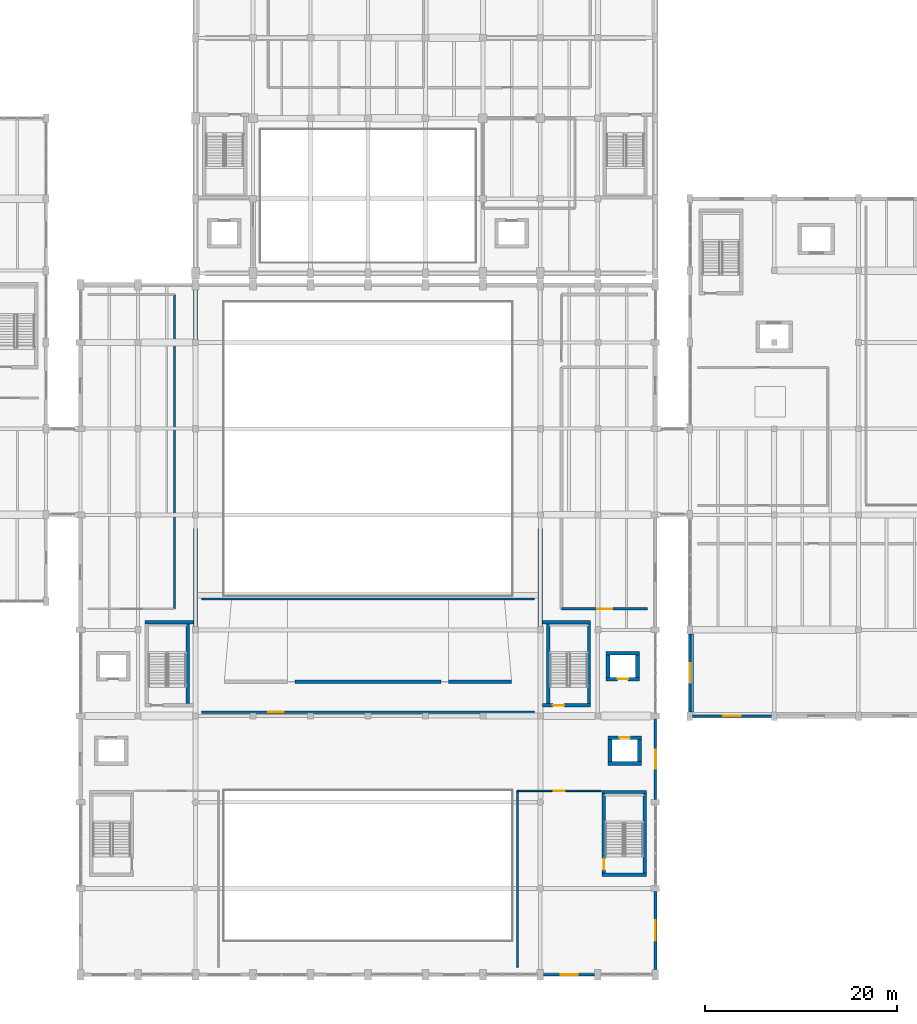
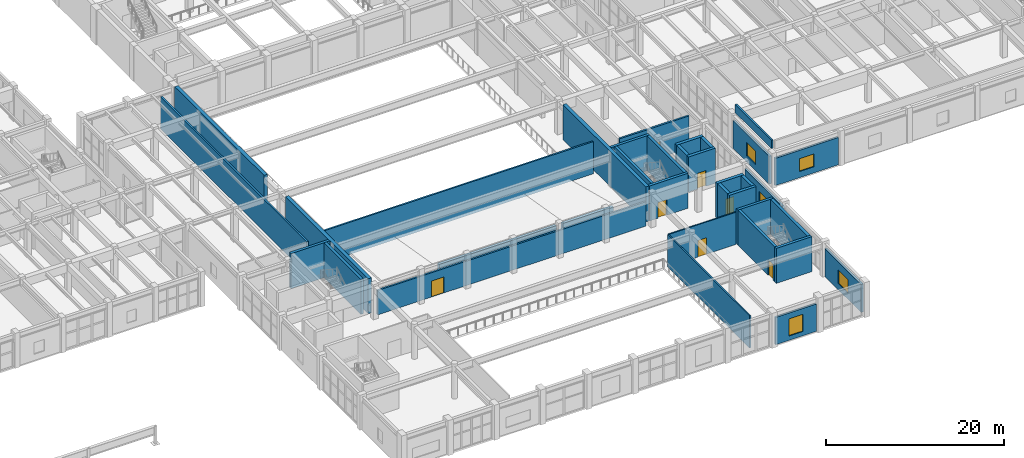
# One storey, part 62 of 85: 35 walls, 7 doors, 5 windows, 12 openings.
"""IFC4 building model written with IfcOpenShell, lengths in metres."""

from ifc_helpers import new_model, si_unit, direction, frame, frame_2d, origin, place, context, subcontext, project, spatial, rectangle, extrude, material, layer, layer_set, type_object, element, fill, save


model = new_model("IFC4")

# Units and contexts
model_context = context("Model", 3, precision=1e-05, world=origin(), true_north=direction((0.0, 1.0)))
body_context = subcontext(model_context, "Body", "Model", "MODEL_VIEW")
ifc_project = project(units=[si_unit("LENGTHUNIT", "METRE"), si_unit("AREAUNIT", "SQUARE_METRE"), si_unit("VOLUMEUNIT", "CUBIC_METRE"), si_unit("PLANEANGLEUNIT", "RADIAN"), si_unit("MASSUNIT", "GRAM", prefix="KILO")], contexts=[model_context])

# Site, building, storey
site_placement = place(None, origin())
site = spatial("IfcSite", under=ifc_project, at=site_placement, CompositionType="ELEMENT")
building_placement = place(site_placement, origin())
building = spatial("IfcBuilding", under=site, at=building_placement, Name="Vaelkrest Opera House", CompositionType="ELEMENT")
storey_placement = place(building_placement, frame((0.0, 0.0, 10.199951171875)))
storey = spatial("IfcBuildingStorey", under=building, at=storey_placement, Name="L02", CompositionType="ELEMENT", Elevation=10.199951171875)

# Wall, opening, window
ifc_material_1 = material(Name="Douglas fir glulam GL28h", Category="wood")
ifc_layer_1 = layer(ifc_material_1, 0.2548828125)
ifc_layer_set_1 = layer_set([ifc_layer_1], Name="Douglas fir glulam GL28h")
wall_type_1 = type_object("IfcWallType", Name="EW01", PredefinedType="STANDARD", material=ifc_layer_set_1)
wall_1_placement = place(storey_placement, frame((23.652099609375, -55.800048828125, 0.0), z_axis=(0.0, 0.0, 1.0), x_axis=(-1.0, 0.0, 0.0)))
wall_1 = element("IfcWall", 1, at=wall_1_placement, inside=storey, type_object=wall_type_1, Name="Exterior facade wall EW-V1-L02-0051", PredefinedType="STANDARD", context=body_context, shape_type="SweptSolid", body=[
    extrude(rectangle(XDim=5.30419921875, YDim=0.2548828125, at=frame_2d((2.652099609375, 0.0))), origin(), (0.0, 0.0, 1.0), 3.7451171875),
])
opening_1_placement = place(wall_1_placement, frame((1.751953125, 0.0, 0.60009765625)))
opening_1 = element("IfcOpeningElement", 2, at=opening_1_placement, cuts=wall_1, Name="Opening WN022", PredefinedType="OPENING", context=body_context, shape_type="SweptSolid", body=[
    extrude(rectangle(XDim=1.800048828125, YDim=2.35009765625, at=frame_2d((0.89990234375, 1.175048828125))), frame((0.0, 0.137451171875, 0.0), z_axis=(0.0, -1.0, 0.0), x_axis=(1.0, 0.0, 0.0)), (0.0, 0.0, 1.0), 0.27490234375),
])
ifc_material_2 = material(Name="Double low-E insulated glazing", Category="glass")
window_type_1 = type_object("IfcWindowType", Name="WT22", PartitioningType="SINGLE_PANEL", PredefinedType="WINDOW", material=ifc_material_2)
window_1_placement = place(opening_1_placement, origin())
window_1 = element("IfcWindow", 3, at=window_1_placement, inside=storey, type_object=window_type_1, Name="Facade window WN022", OverallHeight=2.35009765625, OverallWidth=1.800048828125, PartitioningType="SINGLE_PANEL", PredefinedType="WINDOW", context=body_context, shape_type="SweptSolid", body=[
    extrude(rectangle(XDim=1.800048828125, YDim=2.35009765625, at=frame_2d((0.89990234375, 1.175048828125))), frame((0.0, 0.030029296875, 0.0), z_axis=(0.0, -1.0, 0.0), x_axis=(1.0, 0.0, 0.0)), (0.0, 0.0, 1.0), 0.06005859375),
])
fill(opening_1, window_1)

wall_2_placement = place(storey_placement, frame((42.10205078125, -28.800048828125, 0.0), z_axis=(0.0, 0.0, 1.0), x_axis=(-1.0, 0.0, 0.0)))
wall_2 = element("IfcWall", 4, at=wall_2_placement, inside=storey, type_object=wall_type_1, Name="Exterior facade wall EW-V4-L02-0251", PredefinedType="STANDARD", context=body_context, shape_type="SweptSolid", body=[
    extrude(rectangle(XDim=8.2041015625, YDim=0.2548828125, at=frame_2d((4.10205078125, 0.0))), origin(), (0.0, 0.0, 1.0), 3.7451171875),
])
opening_2_placement = place(wall_2_placement, frame((3.177001953125, 0.0, 0.85009765625)))
opening_2 = element("IfcOpeningElement", 5, at=opening_2_placement, cuts=wall_2, Name="Opening WN136", PredefinedType="OPENING", context=body_context, shape_type="SweptSolid", body=[
    extrude(rectangle(XDim=1.85009765625, YDim=1.75, at=frame_2d((0.925048828125, 0.875))), frame((0.0, 0.137451171875, 0.0), z_axis=(0.0, -1.0, 0.0), x_axis=(1.0, 0.0, 0.0)), (0.0, 0.0, 1.0), 0.27490234375),
])
window_type_2 = type_object("IfcWindowType", Name="WT06", PartitioningType="SINGLE_PANEL", PredefinedType="WINDOW", material=ifc_material_2)
window_2_placement = place(opening_2_placement, origin())
window_2 = element("IfcWindow", 6, at=window_2_placement, inside=storey, type_object=window_type_2, Name="Facade window WN136", OverallHeight=1.75, OverallWidth=1.85009765625, PartitioningType="SINGLE_PANEL", PredefinedType="WINDOW", context=body_context, shape_type="SweptSolid", body=[
    extrude(rectangle(XDim=1.85009765625, YDim=1.75, at=frame_2d((0.925048828125, 0.875))), frame((0.0, 0.030029296875, 0.0), z_axis=(0.0, -1.0, 0.0), x_axis=(1.0, 0.0, 0.0)), (0.0, 0.0, 1.0), 0.06005859375),
])
fill(opening_2, window_2)

ifc_layer_2 = layer(ifc_material_1, 0.27490234375)
ifc_layer_set_2 = layer_set([ifc_layer_2], Name="Douglas fir glulam GL28h")
wall_type_2 = type_object("IfcWallType", Name="EW02", PredefinedType="STANDARD", material=ifc_layer_set_2)
wall_3_placement = place(storey_placement, frame((30.0, -29.097900390625, 0.0), z_axis=(0.0, 0.0, 1.0), x_axis=(0.0, -1.0, 0.0)))
wall_3 = element("IfcWall", 7, at=wall_3_placement, inside=storey, type_object=wall_type_2, Name="Exterior facade wall EW-V1-L02-0072", PredefinedType="STANDARD", context=body_context, shape_type="SweptSolid", body=[
    extrude(rectangle(XDim=8.404052734375, YDim=0.27490234375, at=frame_2d((4.2021484375, 0.0))), origin(), (0.0, 0.0, 1.0), 3.8291015625),
])
opening_3_placement = place(wall_3_placement, frame((3.201904296875, 0.0, 0.85009765625)))
opening_3 = element("IfcOpeningElement", 8, at=opening_3_placement, cuts=wall_3, Name="Opening WN033", PredefinedType="OPENING", context=body_context, shape_type="SweptSolid", body=[
    extrude(rectangle(XDim=2.0, YDim=1.85009765625, at=frame_2d((1.0, 0.925048828125))), frame((0.0, 0.1474609375, 0.0), z_axis=(0.0, -1.0, 0.0), x_axis=(1.0, 0.0, 0.0)), (0.0, 0.0, 1.0), 0.294921875),
])
window_type_3 = type_object("IfcWindowType", Name="WT07", PartitioningType="SINGLE_PANEL", PredefinedType="WINDOW", material=ifc_material_2)
window_3_placement = place(opening_3_placement, origin())
window_3 = element("IfcWindow", 9, at=window_3_placement, inside=storey, type_object=window_type_3, Name="Facade window WN033", OverallHeight=1.85009765625, OverallWidth=2.0, PartitioningType="SINGLE_PANEL", PredefinedType="WINDOW", context=body_context, shape_type="SweptSolid", body=[
    extrude(rectangle(XDim=2.0, YDim=1.85009765625, at=frame_2d((1.0, 0.925048828125))), frame((0.0, 0.030029296875, 0.0), z_axis=(0.0, -1.0, 0.0), x_axis=(1.0, 0.0, 0.0)), (0.0, 0.0, 1.0), 0.06005859375),
])
fill(opening_3, window_3)

wall_4_placement = place(storey_placement, frame((33.60009765625, -28.35205078125, 0.0), z_axis=(0.0, 0.0, 1.0), x_axis=(0.0, 1.0, 0.0)))
wall_4 = element("IfcWall", 10, at=wall_4_placement, inside=storey, type_object=wall_type_2, Name="Exterior facade wall EW-V4-L02-0252", PredefinedType="STANDARD", context=body_context, shape_type="SweptSolid", body=[
    extrude(rectangle(XDim=8.10400390625, YDim=0.27490234375, at=frame_2d((4.052001953125, 0.0))), origin(), (0.0, 0.0, 1.0), 3.8291015625),
])
opening_4_placement = place(wall_4_placement, frame((3.052001953125, 0.0, 0.85009765625)))
opening_4 = element("IfcOpeningElement", 11, at=opening_4_placement, cuts=wall_4, Name="Opening WN137", PredefinedType="OPENING", context=body_context, shape_type="SweptSolid", body=[
    extrude(rectangle(XDim=2.0, YDim=1.85009765625, at=frame_2d((1.0, 0.925048828125))), frame((0.0, 0.1474609375, 0.0), z_axis=(0.0, -1.0, 0.0), x_axis=(1.0, 0.0, 0.0)), (0.0, 0.0, 1.0), 0.294921875),
])
window_4_placement = place(opening_4_placement, origin())
window_4 = element("IfcWindow", 12, at=window_4_placement, inside=storey, type_object=window_type_3, Name="Facade window WN137", OverallHeight=1.85009765625, OverallWidth=2.0, PartitioningType="SINGLE_PANEL", PredefinedType="WINDOW", context=body_context, shape_type="SweptSolid", body=[
    extrude(rectangle(XDim=2.0, YDim=1.85009765625, at=frame_2d((1.0, 0.925048828125))), frame((0.0, 0.030029296875, 0.0), z_axis=(0.0, -1.0, 0.0), x_axis=(1.0, 0.0, 0.0)), (0.0, 0.0, 1.0), 0.06005859375),
])
fill(opening_4, window_4)

ifc_layer_3 = layer(ifc_material_1, 0.294921875)
ifc_layer_set_3 = layer_set([ifc_layer_3], Name="Douglas fir glulam GL28h")
wall_type_3 = type_object("IfcWallType", Name="EW03", PredefinedType="STANDARD", material=ifc_layer_set_3)
wall_5_placement = place(storey_placement, frame((30.0, -47.097900390625, 0.0), z_axis=(0.0, 0.0, 1.0), x_axis=(0.0, -1.0, 0.0)))
wall_5 = element("IfcWall", 13, at=wall_5_placement, inside=storey, type_object=wall_type_3, Name="Exterior facade wall EW-V1-L02-0073", PredefinedType="STANDARD", context=body_context, shape_type="SweptSolid", body=[
    extrude(rectangle(XDim=8.154052734375, YDim=0.294921875, at=frame_2d((4.0771484375, 0.0))), origin(), (0.0, 0.0, 1.0), 3.8291015625),
])
opening_5_placement = place(wall_5_placement, frame((3.001953125, 0.0, 0.85009765625)))
opening_5 = element("IfcOpeningElement", 14, at=opening_5_placement, cuts=wall_5, Name="Opening WN034", PredefinedType="OPENING", context=body_context, shape_type="SweptSolid", body=[
    extrude(rectangle(XDim=2.14990234375, YDim=1.85009765625, at=frame_2d((1.074951171875, 0.925048828125))), frame((0.0, 0.157470703125, 0.0), z_axis=(0.0, -1.0, 0.0), x_axis=(1.0, 0.0, 0.0)), (0.0, 0.0, 1.0), 0.31494140625),
])
window_type_4 = type_object("IfcWindowType", Name="WT08", PartitioningType="SINGLE_PANEL", PredefinedType="WINDOW", material=ifc_material_2)
window_5_placement = place(opening_5_placement, origin())
window_5 = element("IfcWindow", 15, at=window_5_placement, inside=storey, type_object=window_type_4, Name="Facade window WN034", OverallHeight=1.85009765625, OverallWidth=2.14990234375, PartitioningType="SINGLE_PANEL", PredefinedType="WINDOW", context=body_context, shape_type="SweptSolid", body=[
    extrude(rectangle(XDim=2.14990234375, YDim=1.85009765625, at=frame_2d((1.074951171875, 0.925048828125))), frame((0.0, 0.030029296875, 0.0), z_axis=(0.0, -1.0, 0.0), x_axis=(1.0, 0.0, 0.0)), (0.0, 0.0, 1.0), 0.06005859375),
])
fill(opening_5, window_5)

# Wall
ifc_material_3 = material(Name="Concrete C40/50", Category="concrete")
ifc_layer_4 = layer(ifc_material_3, 0.22998046875)
ifc_layer_set_4 = layer_set([ifc_layer_4], Name="Concrete C40/50")
wall_type_4 = type_object("IfcWallType", Name="PP02", PredefinedType="PARAPET", material=ifc_layer_set_4)
wall_6_placement = place(storey_placement, frame((33.85009765625, -20.25, 4.800048828125), z_axis=(0.0, 0.0, 1.0), x_axis=(0.0, -1.0, 0.0)))
element("IfcWall", 16, at=wall_6_placement, inside=storey, type_object=wall_type_4, Name="Roof parapet 15", PredefinedType="PARAPET", context=body_context, shape_type="SweptSolid", body=[
    extrude(rectangle(XDim=8.10009765625, YDim=0.22998046875, at=frame_2d((4.050048828125, 0.0))), origin(), (0.0, 0.0, 1.0), 1.14990234375),
])

# Wall, opening, door
ifc_material_4 = material(Name="Gypsum acoustic board", Category="gypsum")
ifc_layer_5 = layer(ifc_material_4, 0.1650390625)
ifc_layer_set_5 = layer_set([ifc_layer_5], Name="Gypsum acoustic board")
wall_type_5 = type_object("IfcWallType", Name="PT04", PredefinedType="PARTITIONING", material=ifc_layer_set_5)
wall_7_placement = place(storey_placement, frame((15.60009765625, -36.60009765625, 0.0), z_axis=(0.0, 0.0, 1.0), x_axis=(1.0, 0.0, 0.0)))
wall_7 = element("IfcWall", 17, at=wall_7_placement, inside=storey, type_object=wall_type_5, Name="Interior partition PT-V1-L02-0074", PredefinedType="PARTITIONING", context=body_context, shape_type="SweptSolid", body=[
    extrude(rectangle(XDim=8.75, YDim=0.1650390625, at=frame_2d((4.375, 0.0))), origin(), (0.0, 0.0, 1.0), 4.420166015625),
])
opening_6_placement = place(wall_7_placement, frame((3.81494140625, 0.0, 0.0)))
opening_6 = element("IfcOpeningElement", 18, at=opening_6_placement, cuts=wall_7, Name="Opening D029", PredefinedType="OPENING", context=body_context, shape_type="SweptSolid", body=[
    extrude(rectangle(XDim=1.1201171875, YDim=2.25, at=frame_2d((0.56005859375, 1.125))), frame((0.0, 0.092529296875, 0.0), z_axis=(0.0, -1.0, 0.0), x_axis=(1.0, 0.0, 0.0)), (0.0, 0.0, 1.0), 0.18505859375),
])
ifc_material_5 = material(Name="American black walnut acoustic timber", Category="wood")
door_type_1 = type_object("IfcDoorType", Name="DT23", OperationType="NOTDEFINED", PredefinedType="DOOR", material=ifc_material_5)
door_1_placement = place(opening_6_placement, origin())
door_1 = element("IfcDoor", 19, at=door_1_placement, inside=storey, type_object=door_type_1, Name="Interior door D029 (Community Room)", OperationType="SINGLE_SWING_LEFT", OverallHeight=2.25, OverallWidth=1.1201171875, PredefinedType="DOOR", context=body_context, shape_type="SweptSolid", body=[
    extrude(rectangle(XDim=1.1201171875, YDim=2.25, at=frame_2d((0.56005859375, 1.125))), frame((0.0, 0.02490234375, 0.0), z_axis=(0.0, -1.0, 0.0), x_axis=(1.0, 0.0, 0.0)), (0.0, 0.0, 1.0), 0.050048828125),
])
fill(opening_6, door_1)

# Walls
ifc_layer_6 = layer(ifc_material_4, 0.179931640625)
ifc_layer_set_6 = layer_set([ifc_layer_6], Name="Gypsum acoustic board")
wall_type_6 = type_object("IfcWallType", Name="PT05", PredefinedType="PARTITIONING", material=ifc_layer_set_6)
wall_8_placement = place(storey_placement, frame((15.60009765625, -55.0, 0.0), z_axis=(0.0, 0.0, 1.0), x_axis=(0.0, 1.0, 0.0)))
element("IfcWall", 20, at=wall_8_placement, inside=storey, type_object=wall_type_6, Name="Interior partition PT-V1-L02-0075", PredefinedType="PARTITIONING", context=body_context, shape_type="SweptSolid", body=[
    extrude(rectangle(XDim=18.39990234375, YDim=0.179931640625, at=frame_2d((9.199951171875, 0.0))), origin(), (0.0, 0.0, 1.0), 4.420166015625),
])
ifc_layer_7 = layer(ifc_material_5, 0.2099609375)
ifc_layer_set_7 = layer_set([ifc_layer_7], Name="American black walnut acoustic timber")
wall_type_7 = type_object("IfcWallType", Name="PT07", PredefinedType="PARTITIONING", material=ifc_layer_set_7)
wall_9_placement = place(storey_placement, frame((-17.39990234375, -16.60009765625, 0.0), z_axis=(0.0, 0.0, 1.0), x_axis=(1.0, 0.0, 0.0)))
element("IfcWall", 21, at=wall_9_placement, inside=storey, type_object=wall_type_7, Name="Interior partition PT-V1-L02-0071", PredefinedType="PARTITIONING", context=body_context, shape_type="SweptSolid", body=[
    extrude(rectangle(XDim=34.7998046875, YDim=0.2099609375, at=frame_2d((17.39990234375, 0.0))), origin(), (0.0, 0.0, 1.0), 4.420166015625),
])

# Wall, opening, door
ifc_layer_8 = layer(ifc_material_5, 0.22509765625)
ifc_layer_set_8 = layer_set([ifc_layer_8], Name="American black walnut acoustic timber")
wall_type_8 = type_object("IfcWallType", Name="PT08", PredefinedType="PARTITIONING", material=ifc_layer_set_8)
wall_10_placement = place(storey_placement, frame((-17.39990234375, -28.39990234375, 0.0), z_axis=(0.0, 0.0, 1.0), x_axis=(1.0, 0.0, 0.0)))
wall_10 = element("IfcWall", 22, at=wall_10_placement, inside=storey, type_object=wall_type_8, Name="Interior partition PT-V1-L02-0070", PredefinedType="PARTITIONING", context=body_context, shape_type="SweptSolid", body=[
    extrude(rectangle(XDim=34.7998046875, YDim=0.22509765625, at=frame_2d((17.39990234375, 0.0))), origin(), (0.0, 0.0, 1.0), 3.340087890625),
])
opening_7_placement = place(wall_10_placement, frame((6.989990234375, 0.0, 0.0)))
opening_7 = element("IfcOpeningElement", 23, at=opening_7_placement, cuts=wall_10, Name="Opening D027", PredefinedType="OPENING", context=body_context, shape_type="SweptSolid", body=[
    extrude(rectangle(XDim=1.6201171875, YDim=2.199951171875, at=frame_2d((0.81005859375, 1.10009765625))), frame((0.0, 0.12255859375, 0.0), z_axis=(0.0, -1.0, 0.0), x_axis=(1.0, 0.0, 0.0)), (0.0, 0.0, 1.0), 0.2451171875),
])
door_type_2 = type_object("IfcDoorType", Name="DT19", OperationType="DOUBLE_DOOR_SINGLE_SWING", PredefinedType="DOOR", material=ifc_material_5)
door_2_placement = place(opening_7_placement, origin())
door_2 = element("IfcDoor", 24, at=door_2_placement, inside=storey, type_object=door_type_2, Name="Interior door D027 (Auditorium Mezzo Tier 2)", OperationType="DOUBLE_DOOR_SINGLE_SWING", OverallHeight=2.199951171875, OverallWidth=1.6201171875, PredefinedType="DOOR", context=body_context, shape_type="SweptSolid", body=[
    extrude(rectangle(XDim=1.6201171875, YDim=2.199951171875, at=frame_2d((0.81005859375, 1.10009765625))), frame((0.0, 0.02490234375, 0.0), z_axis=(0.0, -1.0, 0.0), x_axis=(1.0, 0.0, 0.0)), (0.0, 0.0, 1.0), 0.050048828125),
])
fill(opening_7, door_2)

# Wall
wall_11_placement = place(storey_placement, frame((-20.199951171875, -17.60009765625, 0.0), z_axis=(0.0, 0.0, 1.0), x_axis=(0.0, 1.0, 0.0)))
element("IfcWall", 25, at=wall_11_placement, inside=storey, type_object=wall_type_8, Name="Interior partition PT-V1-L02-0078", PredefinedType="PARTITIONING", context=body_context, shape_type="SweptSolid", body=[
    extrude(rectangle(XDim=32.800048828125, YDim=0.22509765625, at=frame_2d((16.39990234375, 0.0))), origin(), (0.0, 0.0, 1.0), 4.420166015625),
])

# Wall, opening, door
ifc_layer_9 = layer(ifc_material_3, 0.239990234375)
ifc_layer_set_9 = layer_set([ifc_layer_9], Name="Concrete C40/50")
wall_type_9 = type_object("IfcWallType", Name="PT09", PredefinedType="PARTITIONING", material=ifc_layer_set_9)
wall_12_placement = place(storey_placement, frame((20.199951171875, -17.60009765625, 0.0), z_axis=(0.0, 0.0, 1.0), x_axis=(1.0, 0.0, 0.0)))
wall_12 = element("IfcWall", 26, at=wall_12_placement, inside=storey, type_object=wall_type_9, Name="Interior partition PT-V1-L02-0079", PredefinedType="PARTITIONING", context=body_context, shape_type="SweptSolid", body=[
    extrude(rectangle(XDim=9.0, YDim=0.239990234375, at=frame_2d((4.5, 0.0))), origin(), (0.0, 0.0, 1.0), 4.420166015625),
])
opening_8_placement = place(wall_12_placement, frame((3.72509765625, 0.0, 0.0)))
opening_8 = element("IfcOpeningElement", 27, at=opening_8_placement, cuts=wall_12, Name="Opening D031", PredefinedType="OPENING", context=body_context, shape_type="SweptSolid", body=[
    extrude(rectangle(XDim=1.550048828125, YDim=2.199951171875, at=frame_2d((0.77490234375, 1.10009765625))), frame((0.0, 0.1298828125, 0.0), z_axis=(0.0, -1.0, 0.0), x_axis=(1.0, 0.0, 0.0)), (0.0, 0.0, 1.0), 0.260009765625),
])
door_type_3 = type_object("IfcDoorType", Name="DT13", OperationType="DOUBLE_DOOR_SINGLE_SWING", PredefinedType="DOOR", material=ifc_material_5)
door_3_placement = place(opening_8_placement, origin())
door_3 = element("IfcDoor", 28, at=door_3_placement, inside=storey, type_object=door_type_3, Name="Interior door D031 (Donor Reception Room)", OperationType="DOUBLE_DOOR_SINGLE_SWING", OverallHeight=2.199951171875, OverallWidth=1.550048828125, PredefinedType="DOOR", context=body_context, shape_type="SweptSolid", body=[
    extrude(rectangle(XDim=1.550048828125, YDim=2.199951171875, at=frame_2d((0.77490234375, 1.10009765625))), frame((0.0, 0.02490234375, 0.0), z_axis=(0.0, -1.0, 0.0), x_axis=(1.0, 0.0, 0.0)), (0.0, 0.0, 1.0), 0.050048828125),
])
fill(opening_8, door_3)

# Walls
ifc_material_6 = material(Name="Concrete C50/60", Category="concrete")
ifc_layer_10 = layer(ifc_material_6, 0.35009765625)
ifc_layer_set_10 = layer_set([ifc_layer_10], Name="Concrete C50/60")
wall_type_10 = type_object("IfcWallType", Name="SW01", PredefinedType="SHEAR", material=ifc_layer_set_10)
wall_13_placement = place(storey_placement, frame((-7.60009765625, -25.199951171875, 0.0), z_axis=(0.0, 0.0, 1.0), x_axis=(1.0, 0.0, 0.0)))
element("IfcWall", 29, at=wall_13_placement, inside=storey, type_object=wall_type_10, Name="Auditorium seating tier rear wall L02-2", PredefinedType="SHEAR", context=body_context, shape_type="SweptSolid", body=[
    extrude(rectangle(XDim=15.2001953125, YDim=0.35009765625, at=frame_2d((7.60009765625, 0.0))), origin(), (0.0, 0.0, 1.0), 1.590087890625),
])
wall_14_placement = place(storey_placement, frame((8.39990234375, -25.199951171875, 0.0), z_axis=(0.0, 0.0, 1.0), x_axis=(1.0, 0.0, 0.0)))
element("IfcWall", 30, at=wall_14_placement, inside=storey, type_object=wall_type_10, Name="Auditorium seating tier rear wall L02-3", PredefinedType="SHEAR", context=body_context, shape_type="SweptSolid", body=[
    extrude(rectangle(XDim=6.60009765625, YDim=0.35009765625, at=frame_2d((3.300048828125, 0.0))), origin(), (0.0, 0.0, 1.0), 1.590087890625),
])
wall_15_placement = place(storey_placement, frame((-23.25, -19.02490234375, 0.0), z_axis=(0.0, 0.0, 1.0), x_axis=(1.0, 0.0, 0.0)))
element("IfcWall", 31, at=wall_15_placement, inside=storey, type_object=wall_type_10, Name="Stair core ST01 wall L02 N", PredefinedType="SHEAR", context=body_context, shape_type="SweptSolid", body=[
    extrude(rectangle(XDim=5.02490234375, YDim=0.35009765625, at=frame_2d((2.512451171875, 0.0))), origin(), (0.0, 0.0, 1.0), 4.800048828125),
])
wall_16_placement = place(storey_placement, frame((-18.824951171875, -19.199951171875, 0.0), z_axis=(0.0, 0.0, 1.0), x_axis=(0.0, -1.0, 0.0)))
element("IfcWall", 32, at=wall_16_placement, inside=storey, type_object=wall_type_10, Name="Stair core ST01 wall L02 E", PredefinedType="SHEAR", context=body_context, shape_type="SweptSolid", body=[
    extrude(rectangle(XDim=8.300048828125, YDim=0.35009765625, at=frame_2d((4.14990234375, 0.0))), origin(), (0.0, 0.0, 1.0), 4.800048828125),
])

# Wall, opening, door
wall_17_placement = place(storey_placement, frame((23.25, -27.675048828125, 0.0), z_axis=(0.0, 0.0, 1.0), x_axis=(-1.0, 0.0, 0.0)))
wall_17 = element("IfcWall", 33, at=wall_17_placement, inside=storey, type_object=wall_type_10, Name="Stair core ST02 wall L02 S", PredefinedType="SHEAR", context=body_context, shape_type="SweptSolid", body=[
    extrude(rectangle(XDim=5.02490234375, YDim=0.35009765625, at=frame_2d((2.512451171875, 0.0))), origin(), (0.0, 0.0, 1.0), 4.800048828125),
])
opening_9_placement = place(wall_17_placement, frame((2.77001953125, 0.0, 0.0)))
opening_9 = element("IfcOpeningElement", 34, at=opening_9_placement, cuts=wall_17, Name="Opening SD-ST02-L02", PredefinedType="OPENING", context=body_context, shape_type="SweptSolid", body=[
    extrude(rectangle(XDim=1.179931640625, YDim=2.14990234375, at=frame_2d((0.58984375, 1.074951171875))), frame((0.0, 0.18505859375, 0.0), z_axis=(0.0, -1.0, 0.0), x_axis=(1.0, 0.0, 0.0)), (0.0, 0.0, 1.0), 0.3701171875),
])
door_type_4 = type_object("IfcDoorType", Name="DT07", OperationType="NOTDEFINED", PredefinedType="DOOR", material=ifc_material_5)
door_4_placement = place(opening_9_placement, origin())
door_4 = element("IfcDoor", 35, at=door_4_placement, inside=storey, type_object=door_type_4, Name="Protected stair door SD-ST02-L02", OperationType="SINGLE_SWING_RIGHT", OverallHeight=2.14990234375, OverallWidth=1.179931640625, PredefinedType="DOOR", context=body_context, shape_type="SweptSolid", body=[
    extrude(rectangle(XDim=1.179931640625, YDim=2.14990234375, at=frame_2d((0.58984375, 1.074951171875))), frame((0.0, 0.02490234375, 0.0), z_axis=(0.0, -1.0, 0.0), x_axis=(1.0, 0.0, 0.0)), (0.0, 0.0, 1.0), 0.050048828125),
])
fill(opening_9, door_4)

# Walls
wall_18_placement = place(storey_placement, frame((18.824951171875, -27.5, 0.0), z_axis=(0.0, 0.0, 1.0), x_axis=(0.0, 1.0, 0.0)))
element("IfcWall", 36, at=wall_18_placement, inside=storey, type_object=wall_type_10, Name="Stair core ST02 wall L02 W", PredefinedType="SHEAR", context=body_context, shape_type="SweptSolid", body=[
    extrude(rectangle(XDim=8.300048828125, YDim=0.35009765625, at=frame_2d((4.14990234375, 0.0))), origin(), (0.0, 0.0, 1.0), 4.800048828125),
])
wall_19_placement = place(storey_placement, frame((18.22509765625, -19.02490234375, 0.0), z_axis=(0.0, 0.0, 1.0), x_axis=(1.0, 0.0, 0.0)))
element("IfcWall", 37, at=wall_19_placement, inside=storey, type_object=wall_type_10, Name="Stair core ST02 wall L02 N", PredefinedType="SHEAR", context=body_context, shape_type="SweptSolid", body=[
    extrude(rectangle(XDim=5.02490234375, YDim=0.35009765625, at=frame_2d((2.512451171875, 0.0))), origin(), (0.0, 0.0, 1.0), 4.800048828125),
])
wall_20_placement = place(storey_placement, frame((23.074951171875, -19.199951171875, 0.0), z_axis=(0.0, 0.0, 1.0), x_axis=(0.0, -1.0, 0.0)))
element("IfcWall", 38, at=wall_20_placement, inside=storey, type_object=wall_type_10, Name="Stair core ST02 wall L02 E", PredefinedType="SHEAR", context=body_context, shape_type="SweptSolid", body=[
    extrude(rectangle(XDim=8.300048828125, YDim=0.35009765625, at=frame_2d((4.14990234375, 0.0))), origin(), (0.0, 0.0, 1.0), 4.800048828125),
])
wall_21_placement = place(storey_placement, frame((29.050048828125, -45.375, 0.0), z_axis=(0.0, 0.0, 1.0), x_axis=(-1.0, 0.0, 0.0)))
element("IfcWall", 39, at=wall_21_placement, inside=storey, type_object=wall_type_10, Name="Stair core ST04 wall L02 S", PredefinedType="SHEAR", context=body_context, shape_type="SweptSolid", body=[
    extrude(rectangle(XDim=4.60009765625, YDim=0.35009765625, at=frame_2d((2.300048828125, 0.0))), origin(), (0.0, 0.0, 1.0), 4.800048828125),
])

# Wall, opening, door
wall_22_placement = place(storey_placement, frame((24.625, -45.199951171875, 0.0), z_axis=(0.0, 0.0, 1.0), x_axis=(0.0, 1.0, 0.0)))
wall_22 = element("IfcWall", 40, at=wall_22_placement, inside=storey, type_object=wall_type_10, Name="Stair core ST04 wall L02 W", PredefinedType="SHEAR", context=body_context, shape_type="SweptSolid", body=[
    extrude(rectangle(XDim=8.300048828125, YDim=0.35009765625, at=frame_2d((4.14990234375, 0.0))), origin(), (0.0, 0.0, 1.0), 4.800048828125),
])
opening_10_placement = place(wall_22_placement, frame((0.35009765625, 0.0, 0.0)))
opening_10 = element("IfcOpeningElement", 41, at=opening_10_placement, cuts=wall_22, Name="Opening SD-ST04-L02", PredefinedType="OPENING", context=body_context, shape_type="SweptSolid", body=[
    extrude(rectangle(XDim=1.179931640625, YDim=2.14990234375, at=frame_2d((0.58984375, 1.074951171875))), frame((0.0, 0.18505859375, 0.0), z_axis=(0.0, -1.0, 0.0), x_axis=(1.0, 0.0, 0.0)), (0.0, 0.0, 1.0), 0.3701171875),
])
door_5_placement = place(opening_10_placement, origin())
door_5 = element("IfcDoor", 42, at=door_5_placement, inside=storey, type_object=door_type_4, Name="Protected stair door SD-ST04-L02", OperationType="SINGLE_SWING_RIGHT", OverallHeight=2.14990234375, OverallWidth=1.179931640625, PredefinedType="DOOR", context=body_context, shape_type="SweptSolid", body=[
    extrude(rectangle(XDim=1.179931640625, YDim=2.14990234375, at=frame_2d((0.58984375, 1.074951171875))), frame((0.0, 0.02490234375, 0.0), z_axis=(0.0, -1.0, 0.0), x_axis=(1.0, 0.0, 0.0)), (0.0, 0.0, 1.0), 0.050048828125),
])
fill(opening_10, door_5)

# Walls
wall_23_placement = place(storey_placement, frame((24.449951171875, -36.72509765625, 0.0), z_axis=(0.0, 0.0, 1.0), x_axis=(1.0, 0.0, 0.0)))
element("IfcWall", 43, at=wall_23_placement, inside=storey, type_object=wall_type_10, Name="Stair core ST04 wall L02 N", PredefinedType="SHEAR", context=body_context, shape_type="SweptSolid", body=[
    extrude(rectangle(XDim=4.60009765625, YDim=0.35009765625, at=frame_2d((2.300048828125, 0.0))), origin(), (0.0, 0.0, 1.0), 4.800048828125),
])
wall_24_placement = place(storey_placement, frame((28.875, -36.89990234375, 0.0), z_axis=(0.0, 0.0, 1.0), x_axis=(0.0, -1.0, 0.0)))
element("IfcWall", 44, at=wall_24_placement, inside=storey, type_object=wall_type_10, Name="Stair core ST04 wall L02 E", PredefinedType="SHEAR", context=body_context, shape_type="SweptSolid", body=[
    extrude(rectangle(XDim=8.300048828125, YDim=0.35009765625, at=frame_2d((4.14990234375, 0.0))), origin(), (0.0, 0.0, 1.0), 4.800048828125),
])

# Wall, opening, door
ifc_layer_11 = layer(ifc_material_6, 0.389892578125)
ifc_layer_set_11 = layer_set([ifc_layer_11], Name="Concrete C50/60")
wall_type_11 = type_object("IfcWallType", Name="SW02", PredefinedType="SHEAR", material=ifc_layer_set_11)
wall_25_placement = place(storey_placement, frame((28.340087890625, -24.945068359375, 0.0), z_axis=(0.0, 0.0, 1.0), x_axis=(-1.0, 0.0, 0.0)))
wall_25 = element("IfcWall", 45, at=wall_25_placement, inside=storey, type_object=wall_type_11, Name="Lift shaft LP02 wall L02 S", PredefinedType="SHEAR", context=body_context, shape_type="SweptSolid", body=[
    extrude(rectangle(XDim=3.47998046875, YDim=0.389892578125, at=frame_2d((1.739990234375, 0.0))), origin(), (0.0, 0.0, 1.0), 4.800048828125),
])
opening_11_placement = place(wall_25_placement, frame((1.18994140625, 0.0, 0.0)))
opening_11 = element("IfcOpeningElement", 46, at=opening_11_placement, cuts=wall_25, Name="Opening LD-LP02-L02", PredefinedType="OPENING", context=body_context, shape_type="SweptSolid", body=[
    extrude(rectangle(XDim=1.10009765625, YDim=2.14990234375, at=frame_2d((0.550048828125, 1.074951171875))), frame((0.0, 0.204833984375, 0.0), z_axis=(0.0, -1.0, 0.0), x_axis=(1.0, 0.0, 0.0)), (0.0, 0.0, 1.0), 0.409912109375),
])
ifc_material_7 = material(Name="Dark bronze anodized aluminium", Category="aluminium")
door_type_5 = type_object("IfcDoorType", Name="LDT01", OperationType="SLIDING_TO_LEFT", PredefinedType="DOOR", material=ifc_material_7)
door_6_placement = place(opening_11_placement, origin())
door_6 = element("IfcDoor", 47, at=door_6_placement, inside=storey, type_object=door_type_5, Name="Lift landing sliding door LD-LP02-L02", OperationType="SLIDING_TO_LEFT", OverallHeight=2.14990234375, OverallWidth=1.10009765625, PredefinedType="DOOR", context=body_context, shape_type="SweptSolid", body=[
    extrude(rectangle(XDim=1.10009765625, YDim=2.14990234375, at=frame_2d((0.550048828125, 1.074951171875))), frame((0.0, 0.02490234375, 0.0), z_axis=(0.0, -1.0, 0.0), x_axis=(1.0, 0.0, 0.0)), (0.0, 0.0, 1.0), 0.050048828125),
])
fill(opening_11, door_6)

# Walls
wall_26_placement = place(storey_placement, frame((24.860107421875, -22.2548828125, 0.0), z_axis=(0.0, 0.0, 1.0), x_axis=(1.0, 0.0, 0.0)))
element("IfcWall", 48, at=wall_26_placement, inside=storey, type_object=wall_type_11, Name="Lift shaft LP02 wall L02 N", PredefinedType="SHEAR", context=body_context, shape_type="SweptSolid", body=[
    extrude(rectangle(XDim=3.47998046875, YDim=0.389892578125, at=frame_2d((1.739990234375, 0.0))), origin(), (0.0, 0.0, 1.0), 4.800048828125),
])
for number, where, z_axis, x_axis, name in (
    (49, (25.054931640625, -24.75, 0.0), (0.0, 0.0, 1.0), (0.0, 1.0, 0.0), "Lift shaft LP02 wall L02 W"),
    (50, (28.14501953125, -22.449951171875, 0.0), (0.0, 0.0, 1.0), (0.0, -1.0, 0.0), "Lift shaft LP02 wall L02 E"),
):
    element("IfcWall", number, at=place(storey_placement, frame(where, z_axis=z_axis, x_axis=x_axis)), inside=storey, type_object=wall_type_11, Name=name, PredefinedType="SHEAR", context=body_context, shape_type="SweptSolid", body=[
        extrude(rectangle(XDim=2.300048828125, YDim=0.389892578125, at=frame_2d((1.14990234375, 0.0))), origin(), (0.0, 0.0, 1.0), 4.800048828125),
    ])
wall_27_placement = place(storey_placement, frame((28.5400390625, -33.7451171875, 0.0), z_axis=(0.0, 0.0, 1.0), x_axis=(-1.0, 0.0, 0.0)))
element("IfcWall", 51, at=wall_27_placement, inside=storey, type_object=wall_type_11, Name="Lift shaft LP04 wall L02 S", PredefinedType="SHEAR", context=body_context, shape_type="SweptSolid", body=[
    extrude(rectangle(XDim=3.47998046875, YDim=0.389892578125, at=frame_2d((1.739990234375, 0.0))), origin(), (0.0, 0.0, 1.0), 4.800048828125),
])

# Wall, opening, door
wall_28_placement = place(storey_placement, frame((25.06005859375, -31.054931640625, 0.0), z_axis=(0.0, 0.0, 1.0), x_axis=(1.0, 0.0, 0.0)))
wall_28 = element("IfcWall", 52, at=wall_28_placement, inside=storey, type_object=wall_type_11, Name="Lift shaft LP04 wall L02 N", PredefinedType="SHEAR", context=body_context, shape_type="SweptSolid", body=[
    extrude(rectangle(XDim=3.47998046875, YDim=0.389892578125, at=frame_2d((1.739990234375, 0.0))), origin(), (0.0, 0.0, 1.0), 4.800048828125),
])
opening_12_placement = place(wall_28_placement, frame((1.18994140625, 0.0, 0.0)))
opening_12 = element("IfcOpeningElement", 53, at=opening_12_placement, cuts=wall_28, Name="Opening LD-LP04-L02", PredefinedType="OPENING", context=body_context, shape_type="SweptSolid", body=[
    extrude(rectangle(XDim=1.10009765625, YDim=2.14990234375, at=frame_2d((0.550048828125, 1.074951171875))), frame((0.0, 0.204833984375, 0.0), z_axis=(0.0, -1.0, 0.0), x_axis=(1.0, 0.0, 0.0)), (0.0, 0.0, 1.0), 0.409912109375),
])
door_7_placement = place(opening_12_placement, origin())
door_7 = element("IfcDoor", 54, at=door_7_placement, inside=storey, type_object=door_type_5, Name="Lift landing sliding door LD-LP04-L02", OperationType="SLIDING_TO_LEFT", OverallHeight=2.14990234375, OverallWidth=1.10009765625, PredefinedType="DOOR", context=body_context, shape_type="SweptSolid", body=[
    extrude(rectangle(XDim=1.10009765625, YDim=2.14990234375, at=frame_2d((0.550048828125, 1.074951171875))), frame((0.0, 0.02490234375, 0.0), z_axis=(0.0, -1.0, 0.0), x_axis=(1.0, 0.0, 0.0)), (0.0, 0.0, 1.0), 0.050048828125),
])
fill(opening_12, door_7)

# Walls
for number, where, z_axis, x_axis, name in (
    (55, (25.2548828125, -33.550048828125, 0.0), (0.0, 0.0, 1.0), (0.0, 1.0, 0.0), "Lift shaft LP04 wall L02 W"),
    (56, (28.344970703125, -31.25, 0.0), (0.0, 0.0, 1.0), (0.0, -1.0, 0.0), "Lift shaft LP04 wall L02 E"),
):
    element("IfcWall", number, at=place(storey_placement, frame(where, z_axis=z_axis, x_axis=x_axis)), inside=storey, type_object=wall_type_11, Name=name, PredefinedType="SHEAR", context=body_context, shape_type="SweptSolid", body=[
        extrude(rectangle(XDim=2.300048828125, YDim=0.389892578125, at=frame_2d((1.14990234375, 0.0))), origin(), (0.0, 0.0, 1.0), 4.800048828125),
    ])
ifc_layer_12 = layer(ifc_material_6, 0.449951171875)
ifc_layer_set_12 = layer_set([ifc_layer_12], Name="Concrete C50/60")
wall_type_12 = type_object("IfcWallType", Name="SW03", PredefinedType="SHEAR", material=ifc_layer_set_12)
wall_29_placement = place(storey_placement, frame((-18.0, -27.800048828125, 0.0), z_axis=(0.0, 0.0, 1.0), x_axis=(0.0, 1.0, 0.0)))
element("IfcWall", 57, at=wall_29_placement, inside=storey, type_object=wall_type_12, Name="Auditorium shell wall W1 L02", PredefinedType="SHEAR", context=body_context, shape_type="SweptSolid", body=[
    extrude(rectangle(XDim=18.60009765625, YDim=0.449951171875, at=frame_2d((9.300048828125, 0.0))), origin(), (0.0, 0.0, 1.0), 4.800048828125),
])
wall_30_placement = place(storey_placement, frame((-18.0, -4.39990234375, 0.0), z_axis=(0.0, 0.0, 1.0), x_axis=(0.0, 1.0, 0.0)))
element("IfcWall", 58, at=wall_30_placement, inside=storey, type_object=wall_type_12, Name="Auditorium shell wall W2 L02", PredefinedType="SHEAR", context=body_context, shape_type="SweptSolid", body=[
    extrude(rectangle(XDim=20.0498046875, YDim=0.449951171875, at=frame_2d((10.02490234375, 0.0))), origin(), (0.0, 0.0, 1.0), 4.800048828125),
])
wall_31_placement = place(storey_placement, frame((18.0, -27.800048828125, 0.0), z_axis=(0.0, 0.0, 1.0), x_axis=(0.0, 1.0, 0.0)))
element("IfcWall", 59, at=wall_31_placement, inside=storey, type_object=wall_type_12, Name="Auditorium shell wall E1 L02", PredefinedType="SHEAR", context=body_context, shape_type="SweptSolid", body=[
    extrude(rectangle(XDim=18.60009765625, YDim=0.449951171875, at=frame_2d((9.300048828125, 0.0))), origin(), (0.0, 0.0, 1.0), 4.800048828125),
])

save(model, "model.ifc")
